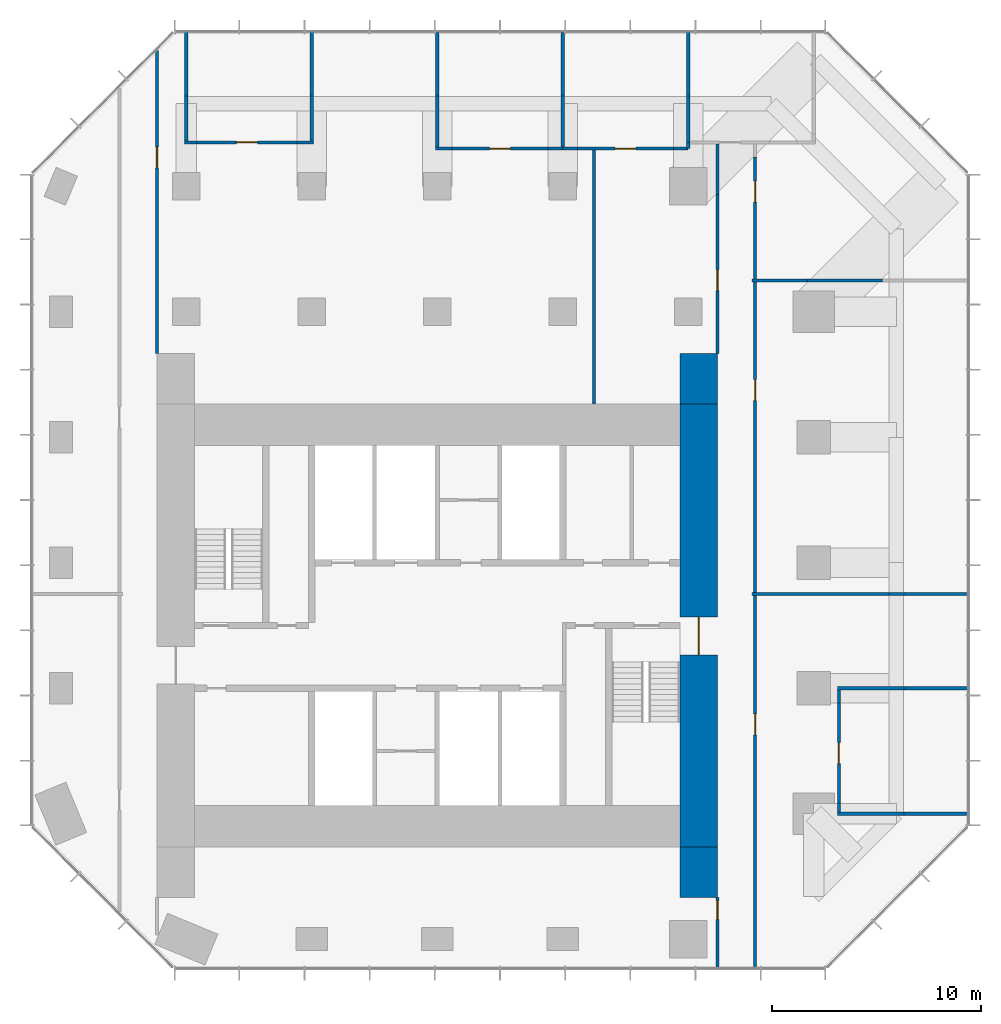
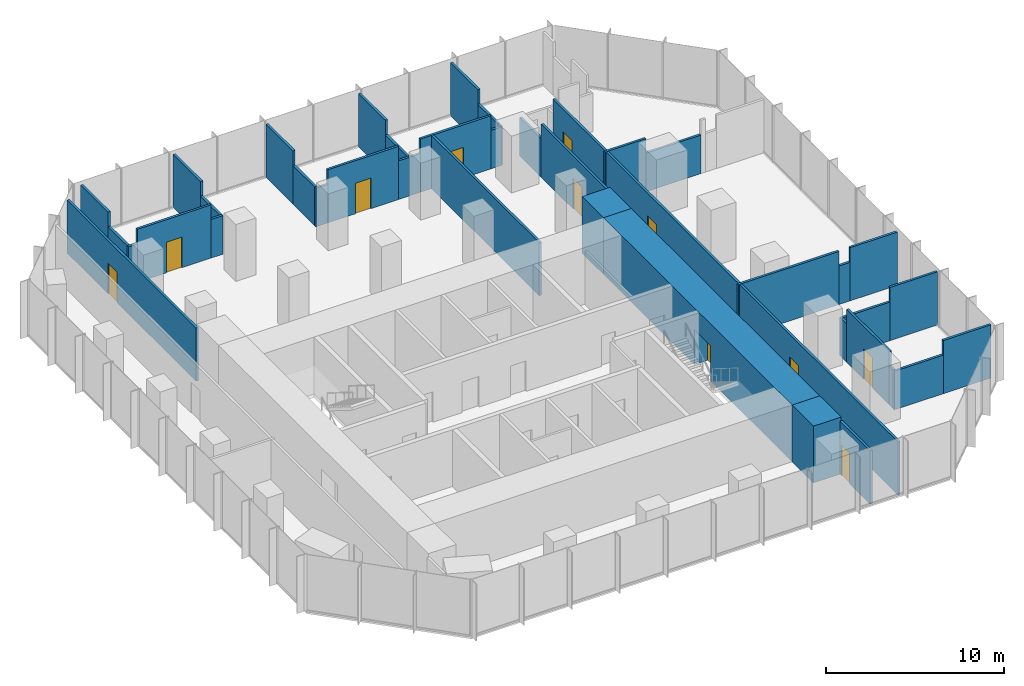
# One storey, part 9 of 11: 43 walls, 11 doors, 11 openings.
"""IFC4 building model written with IfcOpenShell, lengths in metres."""

from ifc_helpers import new_model, si_unit, direction, frame, frame_2d, origin, place, context, subcontext, project, spatial, rectangle, extrude, material, layer, layer_set, type_object, element, fill, save


model = new_model("IFC4")

# Units and contexts
model_context = context("Model", 3, precision=1e-05, world=origin(), true_north=direction((0.0, 1.0)))
body_context = subcontext(model_context, "Body", "Model", "MODEL_VIEW")
ifc_project = project(units=[si_unit("LENGTHUNIT", "METRE"), si_unit("AREAUNIT", "SQUARE_METRE"), si_unit("VOLUMEUNIT", "CUBIC_METRE"), si_unit("PLANEANGLEUNIT", "RADIAN"), si_unit("MASSUNIT", "GRAM", prefix="KILO")], contexts=[model_context])

# Site, building, storey
site_placement = place(None, origin())
site = spatial("IfcSite", under=ifc_project, at=site_placement, CompositionType="ELEMENT")
building_placement = place(site_placement, origin())
building = spatial("IfcBuilding", under=site, at=building_placement, Name="Highveld Stack Headquarters", CompositionType="ELEMENT")
storey_placement = place(building_placement, frame((0.0, 0.0, 177.199951171875)))
storey = spatial("IfcBuildingStorey", under=building, at=storey_placement, Name="L43", CompositionType="ELEMENT", Elevation=177.199951171875)

# Wall, opening, door
ifc_material_1 = material(Name="Concrete C60/75", Category="concrete")
ifc_layer_1 = layer(ifc_material_1, 1.800048828125)
ifc_layer_set_1 = layer_set([ifc_layer_1], Name="Concrete C60/75")
wall_type_1 = type_object("IfcWallType", Name="CORE WALL 1800 C60/75", PredefinedType="SHEAR", material=ifc_layer_set_1)
wall_1_placement = place(storey_placement, frame((18.5, -7.60009765625, 0.0), z_axis=(0.0, 0.0, 1.0), x_axis=(0.0, 1.0, 0.0)))
wall_1 = element("IfcWall", 1, at=wall_1_placement, inside=storey, type_object=wall_type_1, Name="Core wall E L43", PredefinedType="SHEAR", context=body_context, shape_type="SweptSolid", body=[
    extrude(rectangle(XDim=21.2001953125, YDim=1.800048828125, at=frame_2d((10.60009765625, 0.0))), origin(), (0.0, 0.0, 1.0), 3.900146484375),
])
opening_1_placement = place(wall_1_placement, frame((9.199951171875, 0.0, 0.0)))
opening_1 = element("IfcOpeningElement", 2, at=opening_1_placement, cuts=wall_1, Name="Opening L43-02", PredefinedType="OPENING", context=body_context, shape_type="SweptSolid", body=[
    extrude(rectangle(XDim=1.800048828125, YDim=2.39990234375, at=frame_2d((0.89990234375, 1.199951171875))), frame((0.0, 0.909912109375, 0.0), z_axis=(0.0, -1.0, 0.0), x_axis=(1.0, 0.0, 0.0)), (0.0, 0.0, 1.0), 1.820068359375),
])
ifc_material_2 = material(Name="Steel fire door", Category="steel")
door_type_1 = type_object("IfcDoorType", Name="LOBBY FIRE DOOR D4 1800x2400", OperationType="DOUBLE_DOOR_SINGLE_SWING", PredefinedType="DOOR", material=ifc_material_2)
door_1_placement = place(opening_1_placement, origin())
door_1 = element("IfcDoor", 3, at=door_1_placement, inside=storey, type_object=door_type_1, Name="Core east door L43", OperationType="DOUBLE_DOOR_SINGLE_SWING", OverallHeight=2.39990234375, OverallWidth=1.800048828125, PredefinedType="DOOR", context=body_context, shape_type="SweptSolid", body=[
    extrude(rectangle(XDim=1.800048828125, YDim=2.39990234375, at=frame_2d((0.89990234375, 1.199951171875))), frame((0.0, 0.02490234375, 0.0), z_axis=(0.0, -1.0, 0.0), x_axis=(1.0, 0.0, 0.0)), (0.0, 0.0, 1.0), 0.050048828125),
])
fill(opening_1, door_1)

# Walls
ifc_material_3 = material(Name="Concrete C60/75", Category="concrete")
ifc_layer_2 = layer(ifc_material_3, 1.800048828125)
ifc_layer_set_2 = layer_set([ifc_layer_2], Name="Concrete C60/75")
wall_type_2 = type_object("IfcWallType", Name="CORE WING WALL 1800 C60/75", PredefinedType="SHEAR", material=ifc_layer_set_2)
for number, where, z_axis, x_axis, name in (
    (4, (18.5, -10.0, 0.0), (0.0, 0.0, 1.0), (0.0, 1.0, 0.0), "Core wing wall ES L43"),
    (5, (18.5, 13.60009765625, 0.0), (0.0, 0.0, 1.0), (0.0, 1.0, 0.0), "Core wing wall EN L43"),
):
    element("IfcWall", number, at=place(storey_placement, frame(where, z_axis=z_axis, x_axis=x_axis)), inside=storey, type_object=wall_type_2, Name=name, PredefinedType="SHEAR", context=body_context, shape_type="SweptSolid", body=[
        extrude(rectangle(XDim=2.39990234375, YDim=1.800048828125, at=frame_2d((1.199951171875, 0.0))), origin(), (0.0, 0.0, 1.0), 3.900146484375),
    ])
ifc_material_4 = material(Name="Gypsum plasterboard on steel studs", Category="steel")
ifc_layer_3 = layer(ifc_material_4, 0.14990234375)
ifc_layer_set_3 = layer_set([ifc_layer_3], Name="Gypsum plasterboard on steel studs")
wall_type_3 = type_object("IfcWallType", Name="PARTITION 150 PLASTERBOARD", PredefinedType="PARTITIONING", material=ifc_layer_set_3)
wall_2_placement = place(storey_placement, frame((25.125, -6.0, 0.0), z_axis=(0.0, 0.0, 1.0), x_axis=(1.0, 0.0, 0.0)))
element("IfcWall", 6, at=wall_2_placement, inside=storey, type_object=wall_type_3, Name="Partition Tea kitchen L43", PredefinedType="PARTITIONING", context=body_context, shape_type="SweptSolid", body=[
    extrude(rectangle(XDim=3.18505859375, YDim=0.14990234375, at=frame_2d((1.592529296875, 0.0))), origin(), (0.0, 0.0, 1.0), 2.650146484375),
])
wall_3_placement = place(storey_placement, frame((28.31005859375, -6.0, 0.0), z_axis=(0.0, 0.0, 1.0), x_axis=(1.0, 0.0, 0.0)))
element("IfcWall", 7, at=wall_3_placement, inside=storey, type_object=wall_type_3, Name="Partition Tea kitchen L43", PredefinedType="PARTITIONING", context=body_context, shape_type="SweptSolid", body=[
    extrude(rectangle(XDim=3.08984375, YDim=0.14990234375, at=frame_2d((1.544921875, 0.0))), origin(), (0.0, 0.0, 1.0), 3.650146484375),
])
wall_4_placement = place(storey_placement, frame((25.125, 0.0, 0.0), z_axis=(0.0, 0.0, 1.0), x_axis=(1.0, 0.0, 0.0)))
element("IfcWall", 8, at=wall_4_placement, inside=storey, type_object=wall_type_3, Name="Partition Tea kitchen L43", PredefinedType="PARTITIONING", context=body_context, shape_type="SweptSolid", body=[
    extrude(rectangle(XDim=3.18505859375, YDim=0.14990234375, at=frame_2d((1.592529296875, 0.0))), origin(), (0.0, 0.0, 1.0), 2.650146484375),
])
wall_5_placement = place(storey_placement, frame((28.31005859375, 0.0, 0.0), z_axis=(0.0, 0.0, 1.0), x_axis=(1.0, 0.0, 0.0)))
element("IfcWall", 9, at=wall_5_placement, inside=storey, type_object=wall_type_3, Name="Partition Tea kitchen L43", PredefinedType="PARTITIONING", context=body_context, shape_type="SweptSolid", body=[
    extrude(rectangle(XDim=3.08984375, YDim=0.14990234375, at=frame_2d((1.544921875, 0.0))), origin(), (0.0, 0.0, 1.0), 3.650146484375),
])
wall_6_placement = place(storey_placement, frame((5.925048828125, 25.800048828125, 0.0), z_axis=(0.0, 0.0, 1.0), x_axis=(1.0, 0.0, 0.0)))
element("IfcWall", 10, at=wall_6_placement, inside=storey, type_object=wall_type_3, Name="Partition Print room L43", PredefinedType="PARTITIONING", context=body_context, shape_type="SweptSolid", body=[
    extrude(rectangle(XDim=0.784912109375, YDim=0.14990234375, at=frame_2d((0.392578125, 0.0))), origin(), (0.0, 0.0, 1.0), 2.650146484375),
])

# Wall, opening, door
wall_7_placement = place(storey_placement, frame((6.7099609375, 25.800048828125, 0.0), z_axis=(0.0, 0.0, 1.0), x_axis=(1.0, 0.0, 0.0)))
wall_7 = element("IfcWall", 11, at=wall_7_placement, inside=storey, type_object=wall_type_3, Name="Partition Print room L43", PredefinedType="PARTITIONING", context=body_context, shape_type="SweptSolid", body=[
    extrude(rectangle(XDim=4.580078125, YDim=0.14990234375, at=frame_2d((2.2900390625, 0.0))), origin(), (0.0, 0.0, 1.0), 3.650146484375),
])
opening_2_placement = place(wall_7_placement, frame((1.7900390625, 0.0, 0.0)))
opening_2 = element("IfcOpeningElement", 12, at=opening_2_placement, cuts=wall_7, Name="Opening L43-16", PredefinedType="OPENING", context=body_context, shape_type="SweptSolid", body=[
    extrude(rectangle(XDim=1.0, YDim=2.10009765625, at=frame_2d((0.5, 1.050048828125))), frame((0.0, 0.0849609375, 0.0), z_axis=(0.0, -1.0, 0.0), x_axis=(1.0, 0.0, 0.0)), (0.0, 0.0, 1.0), 0.169921875),
])
ifc_material_5 = material(Name="Timber door, oiled ash", Category="wood")
door_type_2 = type_object("IfcDoorType", Name="ROOM DOOR D6 1000x2100", OperationType="SINGLE_SWING_LEFT", PredefinedType="DOOR", material=ifc_material_5)
door_2_placement = place(opening_2_placement, origin())
door_2 = element("IfcDoor", 13, at=door_2_placement, inside=storey, type_object=door_type_2, Name="Print room door 1 L43", OperationType="SINGLE_SWING_RIGHT", OverallHeight=2.10009765625, OverallWidth=1.0, PredefinedType="DOOR", context=body_context, shape_type="SweptSolid", body=[
    extrude(rectangle(XDim=1.0, YDim=2.10009765625, at=frame_2d((0.5, 1.050048828125))), frame((0.0, 0.02490234375, 0.0), z_axis=(0.0, -1.0, 0.0), x_axis=(1.0, 0.0, 0.0)), (0.0, 0.0, 1.0), 0.050048828125),
])
fill(opening_2, door_2)

# Walls
wall_8_placement = place(storey_placement, frame((11.2900390625, 25.800048828125, 0.0), z_axis=(0.0, 0.0, 1.0), x_axis=(1.0, 0.0, 0.0)))
element("IfcWall", 14, at=wall_8_placement, inside=storey, type_object=wall_type_3, Name="Partition Print room L43", PredefinedType="PARTITIONING", context=body_context, shape_type="SweptSolid", body=[
    extrude(rectangle(XDim=0.784912109375, YDim=0.14990234375, at=frame_2d((0.392578125, 0.0))), origin(), (0.0, 0.0, 1.0), 2.650146484375),
])
wall_9_placement = place(storey_placement, frame((12.0, 25.800048828125, 0.0), z_axis=(0.0, 0.0, 1.0), x_axis=(1.0, 0.0, 0.0)))
element("IfcWall", 15, at=wall_9_placement, inside=storey, type_object=wall_type_3, Name="Partition Print room L43", PredefinedType="PARTITIONING", context=body_context, shape_type="SweptSolid", body=[
    extrude(rectangle(XDim=0.7099609375, YDim=0.14990234375, at=frame_2d((0.35498046875, 0.0))), origin(), (0.0, 0.0, 1.0), 2.650146484375),
])

# Wall, opening, door
wall_10_placement = place(storey_placement, frame((12.7099609375, 25.800048828125, 0.0), z_axis=(0.0, 0.0, 1.0), x_axis=(1.0, 0.0, 0.0)))
wall_10 = element("IfcWall", 16, at=wall_10_placement, inside=storey, type_object=wall_type_3, Name="Partition Print room L43", PredefinedType="PARTITIONING", context=body_context, shape_type="SweptSolid", body=[
    extrude(rectangle(XDim=4.580078125, YDim=0.14990234375, at=frame_2d((2.2900390625, 0.0))), origin(), (0.0, 0.0, 1.0), 3.650146484375),
])
opening_3_placement = place(wall_10_placement, frame((1.7900390625, 0.0, 0.0)))
opening_3 = element("IfcOpeningElement", 17, at=opening_3_placement, cuts=wall_10, Name="Opening L43-17", PredefinedType="OPENING", context=body_context, shape_type="SweptSolid", body=[
    extrude(rectangle(XDim=1.0, YDim=2.10009765625, at=frame_2d((0.5, 1.050048828125))), frame((0.0, 0.0849609375, 0.0), z_axis=(0.0, -1.0, 0.0), x_axis=(1.0, 0.0, 0.0)), (0.0, 0.0, 1.0), 0.169921875),
])
door_3_placement = place(opening_3_placement, origin())
door_3 = element("IfcDoor", 18, at=door_3_placement, inside=storey, type_object=door_type_2, Name="Print room door 1 L43", OperationType="SINGLE_SWING_RIGHT", OverallHeight=2.10009765625, OverallWidth=1.0, PredefinedType="DOOR", context=body_context, shape_type="SweptSolid", body=[
    extrude(rectangle(XDim=1.0, YDim=2.10009765625, at=frame_2d((0.5, 1.050048828125))), frame((0.0, 0.02490234375, 0.0), z_axis=(0.0, -1.0, 0.0), x_axis=(1.0, 0.0, 0.0)), (0.0, 0.0, 1.0), 0.050048828125),
])
fill(opening_3, door_3)

# Walls
wall_11_placement = place(storey_placement, frame((17.2900390625, 25.800048828125, 0.0), z_axis=(0.0, 0.0, 1.0), x_axis=(1.0, 0.0, 0.0)))
element("IfcWall", 19, at=wall_11_placement, inside=storey, type_object=wall_type_3, Name="Partition Print room L43", PredefinedType="PARTITIONING", context=body_context, shape_type="SweptSolid", body=[
    extrude(rectangle(XDim=0.7099609375, YDim=0.14990234375, at=frame_2d((0.35498046875, 0.0))), origin(), (0.0, 0.0, 1.0), 2.650146484375),
])
wall_12_placement = place(storey_placement, frame((-6.074951171875, 26.10009765625, 0.0), z_axis=(0.0, 0.0, 1.0), x_axis=(1.0, 0.0, 0.0)))
element("IfcWall", 20, at=wall_12_placement, inside=storey, type_object=wall_type_3, Name="Partition Focus room L43", PredefinedType="PARTITIONING", context=body_context, shape_type="SweptSolid", body=[
    extrude(rectangle(XDim=0.5849609375, YDim=0.14990234375, at=frame_2d((0.29248046875, 0.0))), origin(), (0.0, 0.0, 1.0), 2.650146484375),
])

# Wall, opening, door
wall_13_placement = place(storey_placement, frame((-5.489990234375, 26.10009765625, 0.0), z_axis=(0.0, 0.0, 1.0), x_axis=(1.0, 0.0, 0.0)))
wall_13 = element("IfcWall", 21, at=wall_13_placement, inside=storey, type_object=wall_type_3, Name="Partition Focus room L43", PredefinedType="PARTITIONING", context=body_context, shape_type="SweptSolid", body=[
    extrude(rectangle(XDim=4.780029296875, YDim=0.14990234375, at=frame_2d((2.39013671875, 0.0))), origin(), (0.0, 0.0, 1.0), 3.650146484375),
])
opening_4_placement = place(wall_13_placement, frame((1.889892578125, 0.0, 0.0)))
opening_4 = element("IfcOpeningElement", 22, at=opening_4_placement, cuts=wall_13, Name="Opening L43-15", PredefinedType="OPENING", context=body_context, shape_type="SweptSolid", body=[
    extrude(rectangle(XDim=1.0, YDim=2.10009765625, at=frame_2d((0.5, 1.050048828125))), frame((0.0, 0.0849609375, 0.0), z_axis=(0.0, -1.0, 0.0), x_axis=(1.0, 0.0, 0.0)), (0.0, 0.0, 1.0), 0.169921875),
])
door_4_placement = place(opening_4_placement, origin())
door_4 = element("IfcDoor", 23, at=door_4_placement, inside=storey, type_object=door_type_2, Name="Focus room door 1 L43", OperationType="SINGLE_SWING_LEFT", OverallHeight=2.10009765625, OverallWidth=1.0, PredefinedType="DOOR", context=body_context, shape_type="SweptSolid", body=[
    extrude(rectangle(XDim=1.0, YDim=2.10009765625, at=frame_2d((0.5, 1.050048828125))), frame((0.0, 0.02490234375, 0.0), z_axis=(0.0, -1.0, 0.0), x_axis=(1.0, 0.0, 0.0)), (0.0, 0.0, 1.0), 0.050048828125),
])
fill(opening_4, door_4)

# Walls
wall_14_placement = place(storey_placement, frame((-0.7099609375, 26.10009765625, 0.0), z_axis=(0.0, 0.0, 1.0), x_axis=(1.0, 0.0, 0.0)))
element("IfcWall", 24, at=wall_14_placement, inside=storey, type_object=wall_type_3, Name="Partition Focus room L43", PredefinedType="PARTITIONING", context=body_context, shape_type="SweptSolid", body=[
    extrude(rectangle(XDim=0.784912109375, YDim=0.14990234375, at=frame_2d((0.392578125, 0.0))), origin(), (0.0, 0.0, 1.0), 2.650146484375),
])
wall_15_placement = place(storey_placement, frame((-6.0, 26.175048828125, 0.0), z_axis=(0.0, 0.0, 1.0), x_axis=(0.0, 1.0, 0.0)))
element("IfcWall", 25, at=wall_15_placement, inside=storey, type_object=wall_type_3, Name="Partition Focus room L43", PredefinedType="PARTITIONING", context=body_context, shape_type="SweptSolid", body=[
    extrude(rectangle(XDim=2.135009765625, YDim=0.14990234375, at=frame_2d((1.0673828125, 0.0))), origin(), (0.0, 0.0, 1.0), 2.650146484375),
])
wall_16_placement = place(storey_placement, frame((-6.0, 28.31005859375, 0.0), z_axis=(0.0, 0.0, 1.0), x_axis=(0.0, 1.0, 0.0)))
element("IfcWall", 26, at=wall_16_placement, inside=storey, type_object=wall_type_3, Name="Partition Focus room L43", PredefinedType="PARTITIONING", context=body_context, shape_type="SweptSolid", body=[
    extrude(rectangle(XDim=3.08984375, YDim=0.14990234375, at=frame_2d((1.544921875, 0.0))), origin(), (0.0, 0.0, 1.0), 3.650146484375),
])
wall_17_placement = place(storey_placement, frame((0.0, 26.175048828125, 0.0), z_axis=(0.0, 0.0, 1.0), x_axis=(0.0, 1.0, 0.0)))
element("IfcWall", 27, at=wall_17_placement, inside=storey, type_object=wall_type_3, Name="Partition Focus room L43", PredefinedType="PARTITIONING", context=body_context, shape_type="SweptSolid", body=[
    extrude(rectangle(XDim=2.135009765625, YDim=0.14990234375, at=frame_2d((1.0673828125, 0.0))), origin(), (0.0, 0.0, 1.0), 2.650146484375),
])
wall_18_placement = place(storey_placement, frame((0.0, 28.31005859375, 0.0), z_axis=(0.0, 0.0, 1.0), x_axis=(0.0, 1.0, 0.0)))
element("IfcWall", 28, at=wall_18_placement, inside=storey, type_object=wall_type_3, Name="Partition Focus room L43", PredefinedType="PARTITIONING", context=body_context, shape_type="SweptSolid", body=[
    extrude(rectangle(XDim=3.08984375, YDim=0.14990234375, at=frame_2d((1.544921875, 0.0))), origin(), (0.0, 0.0, 1.0), 3.650146484375),
])
wall_19_placement = place(storey_placement, frame((6.0, 25.875, 0.0), z_axis=(0.0, 0.0, 1.0), x_axis=(0.0, 1.0, 0.0)))
element("IfcWall", 29, at=wall_19_placement, inside=storey, type_object=wall_type_3, Name="Partition Print room L43", PredefinedType="PARTITIONING", context=body_context, shape_type="SweptSolid", body=[
    extrude(rectangle(XDim=2.43505859375, YDim=0.14990234375, at=frame_2d((1.217529296875, 0.0))), origin(), (0.0, 0.0, 1.0), 2.650146484375),
])
wall_20_placement = place(storey_placement, frame((6.0, 28.31005859375, 0.0), z_axis=(0.0, 0.0, 1.0), x_axis=(0.0, 1.0, 0.0)))
element("IfcWall", 30, at=wall_20_placement, inside=storey, type_object=wall_type_3, Name="Partition Print room L43", PredefinedType="PARTITIONING", context=body_context, shape_type="SweptSolid", body=[
    extrude(rectangle(XDim=3.0400390625, YDim=0.14990234375, at=frame_2d((1.52001953125, 0.0))), origin(), (0.0, 0.0, 1.0), 3.650146484375),
])
wall_21_placement = place(storey_placement, frame((12.0, 25.875, 0.0), z_axis=(0.0, 0.0, 1.0), x_axis=(0.0, 1.0, 0.0)))
element("IfcWall", 31, at=wall_21_placement, inside=storey, type_object=wall_type_3, Name="Partition Print room L43", PredefinedType="PARTITIONING", context=body_context, shape_type="SweptSolid", body=[
    extrude(rectangle(XDim=2.43505859375, YDim=0.14990234375, at=frame_2d((1.217529296875, 0.0))), origin(), (0.0, 0.0, 1.0), 2.650146484375),
])
wall_22_placement = place(storey_placement, frame((12.0, 28.31005859375, 0.0), z_axis=(0.0, 0.0, 1.0), x_axis=(0.0, 1.0, 0.0)))
element("IfcWall", 32, at=wall_22_placement, inside=storey, type_object=wall_type_3, Name="Partition Print room L43", PredefinedType="PARTITIONING", context=body_context, shape_type="SweptSolid", body=[
    extrude(rectangle(XDim=3.0400390625, YDim=0.14990234375, at=frame_2d((1.52001953125, 0.0))), origin(), (0.0, 0.0, 1.0), 3.650146484375),
])
wall_23_placement = place(storey_placement, frame((18.0, 25.800048828125, 0.0), z_axis=(0.0, 0.0, 1.0), x_axis=(0.0, 1.0, 0.0)))
element("IfcWall", 33, at=wall_23_placement, inside=storey, type_object=wall_type_3, Name="Partition Print room L43", PredefinedType="PARTITIONING", context=body_context, shape_type="SweptSolid", body=[
    extrude(rectangle(XDim=0.300048828125, YDim=0.14990234375, at=frame_2d((0.14990234375, 0.0))), origin(), (0.0, 0.0, 1.0), 2.650146484375),
])
wall_24_placement = place(storey_placement, frame((18.0, 26.10009765625, 0.0), z_axis=(0.0, 0.0, 1.0), x_axis=(0.0, 1.0, 0.0)))
element("IfcWall", 34, at=wall_24_placement, inside=storey, type_object=wall_type_3, Name="Partition Focus room / Print room L43", PredefinedType="PARTITIONING", context=body_context, shape_type="SweptSolid", body=[
    extrude(rectangle(XDim=2.2099609375, YDim=0.14990234375, at=frame_2d((1.10498046875, 0.0))), origin(), (0.0, 0.0, 1.0), 2.650146484375),
])
wall_25_placement = place(storey_placement, frame((18.0, 28.31005859375, 0.0), z_axis=(0.0, 0.0, 1.0), x_axis=(0.0, 1.0, 0.0)))
element("IfcWall", 35, at=wall_25_placement, inside=storey, type_object=wall_type_3, Name="Partition Focus room / Print room L43", PredefinedType="PARTITIONING", context=body_context, shape_type="SweptSolid", body=[
    extrude(rectangle(XDim=3.08984375, YDim=0.14990234375, at=frame_2d((1.544921875, 0.0))), origin(), (0.0, 0.0, 1.0), 3.650146484375),
])
wall_26_placement = place(storey_placement, frame((25.199951171875, -5.925048828125, 0.0), z_axis=(0.0, 0.0, 1.0), x_axis=(0.0, 1.0, 0.0)))
element("IfcWall", 36, at=wall_26_placement, inside=storey, type_object=wall_type_3, Name="Partition Tea kitchen L43", PredefinedType="PARTITIONING", context=body_context, shape_type="SweptSolid", body=[
    extrude(rectangle(XDim=0.43505859375, YDim=0.14990234375, at=frame_2d((0.217529296875, 0.0))), origin(), (0.0, 0.0, 1.0), 2.650146484375),
])

# Wall, opening, door
wall_27_placement = place(storey_placement, frame((25.199951171875, -5.489990234375, 0.0), z_axis=(0.0, 0.0, 1.0), x_axis=(0.0, 1.0, 0.0)))
wall_27 = element("IfcWall", 37, at=wall_27_placement, inside=storey, type_object=wall_type_3, Name="Partition Tea kitchen L43", PredefinedType="PARTITIONING", context=body_context, shape_type="SweptSolid", body=[
    extrude(rectangle(XDim=4.780029296875, YDim=0.14990234375, at=frame_2d((2.39013671875, 0.0))), origin(), (0.0, 0.0, 1.0), 3.650146484375),
])
opening_5_placement = place(wall_27_placement, frame((1.889892578125, 0.0, 0.0)))
opening_5 = element("IfcOpeningElement", 38, at=opening_5_placement, cuts=wall_27, Name="Opening L43-14", PredefinedType="OPENING", context=body_context, shape_type="SweptSolid", body=[
    extrude(rectangle(XDim=1.0, YDim=2.10009765625, at=frame_2d((0.5, 1.050048828125))), frame((0.0, 0.0849609375, 0.0), z_axis=(0.0, -1.0, 0.0), x_axis=(1.0, 0.0, 0.0)), (0.0, 0.0, 1.0), 0.169921875),
])
door_5_placement = place(opening_5_placement, origin())
door_5 = element("IfcDoor", 39, at=door_5_placement, inside=storey, type_object=door_type_2, Name="Tea kitchen door 1 L43", OperationType="SINGLE_SWING_RIGHT", OverallHeight=2.10009765625, OverallWidth=1.0, PredefinedType="DOOR", context=body_context, shape_type="SweptSolid", body=[
    extrude(rectangle(XDim=1.0, YDim=2.10009765625, at=frame_2d((0.5, 1.050048828125))), frame((0.0, 0.02490234375, 0.0), z_axis=(0.0, -1.0, 0.0), x_axis=(1.0, 0.0, 0.0)), (0.0, 0.0, 1.0), 0.050048828125),
])
fill(opening_5, door_5)

# Wall
wall_28_placement = place(storey_placement, frame((25.199951171875, -0.7099609375, 0.0), z_axis=(0.0, 0.0, 1.0), x_axis=(0.0, 1.0, 0.0)))
element("IfcWall", 40, at=wall_28_placement, inside=storey, type_object=wall_type_3, Name="Partition Tea kitchen L43", PredefinedType="PARTITIONING", context=body_context, shape_type="SweptSolid", body=[
    extrude(rectangle(XDim=0.635009765625, YDim=0.14990234375, at=frame_2d((0.3173828125, 0.0))), origin(), (0.0, 0.0, 1.0), 2.650146484375),
])

# Wall, opening, door
wall_29_placement = place(storey_placement, frame((-7.39990234375, 16.0, 0.0), z_axis=(0.0, 0.0, 1.0), x_axis=(0.0, 1.0, 0.0)))
wall_29 = element("IfcWall", 41, at=wall_29_placement, inside=storey, type_object=wall_type_3, Name="Partition office neighbourhood L43", PredefinedType="PARTITIONING", context=body_context, shape_type="SweptSolid", body=[
    extrude(rectangle(XDim=14.489013671875, YDim=0.14990234375, at=frame_2d((7.24462890625, 0.0))), origin(), (0.0, 0.0, 1.0), 3.650146484375),
])
opening_6_placement = place(wall_29_placement, frame((8.885009765625, 0.0, 0.0)))
opening_6 = element("IfcOpeningElement", 42, at=opening_6_placement, cuts=wall_29, Name="Opening L43-24", PredefinedType="OPENING", context=body_context, shape_type="SweptSolid", body=[
    extrude(rectangle(XDim=1.0, YDim=2.10009765625, at=frame_2d((0.5, 1.050048828125))), frame((0.0, 0.0849609375, 0.0), z_axis=(0.0, -1.0, 0.0), x_axis=(1.0, 0.0, 0.0)), (0.0, 0.0, 1.0), 0.169921875),
])
door_6_placement = place(opening_6_placement, origin())
door_6 = element("IfcDoor", 43, at=door_6_placement, inside=storey, type_object=door_type_2, Name="Office neighbourhood door L43", OperationType="SINGLE_SWING_RIGHT", OverallHeight=2.10009765625, OverallWidth=1.0, PredefinedType="DOOR", context=body_context, shape_type="SweptSolid", body=[
    extrude(rectangle(XDim=1.0, YDim=2.10009765625, at=frame_2d((0.5, 1.050048828125))), frame((0.0, 0.02490234375, 0.0), z_axis=(0.0, -1.0, 0.0), x_axis=(1.0, 0.0, 0.0)), (0.0, 0.0, 1.0), 0.050048828125),
])
fill(opening_6, door_6)

# Wall
wall_30_placement = place(storey_placement, frame((13.5, 13.60009765625, 0.0), z_axis=(0.0, 0.0, 1.0), x_axis=(0.0, 1.0, 0.0)))
element("IfcWall", 44, at=wall_30_placement, inside=storey, type_object=wall_type_3, Name="Partition office neighbourhood L43", PredefinedType="PARTITIONING", context=body_context, shape_type="SweptSolid", body=[
    extrude(rectangle(XDim=12.125, YDim=0.14990234375, at=frame_2d((6.0625, 0.0))), origin(), (0.0, 0.0, 1.0), 3.650146484375),
])

# Wall, opening, door
wall_31_placement = place(storey_placement, frame((19.39990234375, -13.39990234375, 0.0), z_axis=(0.0, 0.0, 1.0), x_axis=(0.0, 1.0, 0.0)))
wall_31 = element("IfcWall", 45, at=wall_31_placement, inside=storey, type_object=wall_type_3, Name="Partition office neighbourhood L43", PredefinedType="PARTITIONING", context=body_context, shape_type="SweptSolid", body=[
    extrude(rectangle(XDim=3.39990234375, YDim=0.14990234375, at=frame_2d((1.699951171875, 0.0))), origin(), (0.0, 0.0, 1.0), 3.650146484375),
])
opening_7_placement = place(wall_31_placement, frame((2.35009765625, 0.0, 0.0)))
opening_7 = element("IfcOpeningElement", 46, at=opening_7_placement, cuts=wall_31, Name="Opening L43-26", PredefinedType="OPENING", context=body_context, shape_type="SweptSolid", body=[
    extrude(rectangle(XDim=0.89990234375, YDim=2.10009765625, at=frame_2d((0.449951171875, 1.050048828125))), frame((0.0, 0.0849609375, 0.0), z_axis=(0.0, -1.0, 0.0), x_axis=(1.0, 0.0, 0.0)), (0.0, 0.0, 1.0), 0.169921875),
])
ifc_material_6 = material(Name="Timber door, oiled ash", Category="wood")
door_type_3 = type_object("IfcDoorType", Name="ROOM DOOR D15 900x2100", OperationType="SINGLE_SWING_LEFT", PredefinedType="DOOR", material=ifc_material_6)
door_7_placement = place(opening_7_placement, origin())
door_7 = element("IfcDoor", 47, at=door_7_placement, inside=storey, type_object=door_type_3, Name="Office neighbourhood door L43", OperationType="SINGLE_SWING_RIGHT", OverallHeight=2.10009765625, OverallWidth=0.89990234375, PredefinedType="DOOR", context=body_context, shape_type="SweptSolid", body=[
    extrude(rectangle(XDim=0.89990234375, YDim=2.10009765625, at=frame_2d((0.449951171875, 1.050048828125))), frame((0.0, 0.02490234375, 0.0), z_axis=(0.0, -1.0, 0.0), x_axis=(1.0, 0.0, 0.0)), (0.0, 0.0, 1.0), 0.050048828125),
])
fill(opening_7, door_7)

wall_32_placement = place(storey_placement, frame((19.39990234375, 16.0, 0.0), z_axis=(0.0, 0.0, 1.0), x_axis=(0.0, 1.0, 0.0)))
wall_32 = element("IfcWall", 48, at=wall_32_placement, inside=storey, type_object=wall_type_3, Name="Partition office neighbourhood L43", PredefinedType="PARTITIONING", context=body_context, shape_type="SweptSolid", body=[
    extrude(rectangle(XDim=7.60791015625, YDim=0.14990234375, at=frame_2d((3.803955078125, 0.0))), origin(), (0.0, 0.0, 1.0), 3.650146484375),
])
opening_8_placement = place(wall_32_placement, frame((3.009033203125, 0.0, 0.0)))
opening_8 = element("IfcOpeningElement", 49, at=opening_8_placement, cuts=wall_32, Name="Opening L43-23", PredefinedType="OPENING", context=body_context, shape_type="SweptSolid", body=[
    extrude(rectangle(XDim=1.0, YDim=2.10009765625, at=frame_2d((0.5, 1.050048828125))), frame((0.0, 0.0849609375, 0.0), z_axis=(0.0, -1.0, 0.0), x_axis=(1.0, 0.0, 0.0)), (0.0, 0.0, 1.0), 0.169921875),
])
door_8_placement = place(opening_8_placement, origin())
door_8 = element("IfcDoor", 50, at=door_8_placement, inside=storey, type_object=door_type_2, Name="Office neighbourhood door L43", OperationType="SINGLE_SWING_LEFT", OverallHeight=2.10009765625, OverallWidth=1.0, PredefinedType="DOOR", context=body_context, shape_type="SweptSolid", body=[
    extrude(rectangle(XDim=1.0, YDim=2.10009765625, at=frame_2d((0.5, 1.050048828125))), frame((0.0, 0.02490234375, 0.0), z_axis=(0.0, -1.0, 0.0), x_axis=(1.0, 0.0, 0.0)), (0.0, 0.0, 1.0), 0.050048828125),
])
fill(opening_8, door_8)

# Wall
wall_33_placement = place(storey_placement, frame((19.39990234375, 23.60791015625, 0.0), z_axis=(0.0, 0.0, 1.0), x_axis=(0.0, 1.0, 0.0)))
element("IfcWall", 51, at=wall_33_placement, inside=storey, type_object=wall_type_3, Name="Partition office neighbourhood L43", PredefinedType="PARTITIONING", context=body_context, shape_type="SweptSolid", body=[
    extrude(rectangle(XDim=2.4169921875, YDim=0.14990234375, at=frame_2d((1.20849609375, 0.0))), origin(), (0.0, 0.0, 1.0), 2.650146484375),
])

# Wall, opening, door
wall_34_placement = place(storey_placement, frame((21.199951171875, -13.39990234375, 0.0), z_axis=(0.0, 0.0, 1.0), x_axis=(0.0, 1.0, 0.0)))
wall_34 = element("IfcWall", 52, at=wall_34_placement, inside=storey, type_object=wall_type_3, Name="Partition office neighbourhood L43", PredefinedType="PARTITIONING", context=body_context, shape_type="SweptSolid", body=[
    extrude(rectangle(XDim=17.824951171875, YDim=0.14990234375, at=frame_2d((8.91259765625, 0.0))), origin(), (0.0, 0.0, 1.0), 3.650146484375),
])
opening_9_placement = place(wall_34_placement, frame((11.169921875, 0.0, 0.0)))
opening_9 = element("IfcOpeningElement", 53, at=opening_9_placement, cuts=wall_34, Name="Opening L43-19", PredefinedType="OPENING", context=body_context, shape_type="SweptSolid", body=[
    extrude(rectangle(XDim=1.0, YDim=2.10009765625, at=frame_2d((0.5, 1.050048828125))), frame((0.0, 0.0849609375, 0.0), z_axis=(0.0, -1.0, 0.0), x_axis=(1.0, 0.0, 0.0)), (0.0, 0.0, 1.0), 0.169921875),
])
door_9_placement = place(opening_9_placement, origin())
door_9 = element("IfcDoor", 54, at=door_9_placement, inside=storey, type_object=door_type_2, Name="Office neighbourhood door L43", OperationType="SINGLE_SWING_RIGHT", OverallHeight=2.10009765625, OverallWidth=1.0, PredefinedType="DOOR", context=body_context, shape_type="SweptSolid", body=[
    extrude(rectangle(XDim=1.0, YDim=2.10009765625, at=frame_2d((0.5, 1.050048828125))), frame((0.0, 0.02490234375, 0.0), z_axis=(0.0, -1.0, 0.0), x_axis=(1.0, 0.0, 0.0)), (0.0, 0.0, 1.0), 0.050048828125),
])
fill(opening_9, door_9)

wall_35_placement = place(storey_placement, frame((21.199951171875, 4.574951171875, 0.0), z_axis=(0.0, 0.0, 1.0), x_axis=(0.0, 1.0, 0.0)))
wall_35 = element("IfcWall", 55, at=wall_35_placement, inside=storey, type_object=wall_type_3, Name="Partition office neighbourhood L43", PredefinedType="PARTITIONING", context=body_context, shape_type="SweptSolid", body=[
    extrude(rectangle(XDim=14.85009765625, YDim=0.14990234375, at=frame_2d((7.425048828125, 0.0))), origin(), (0.0, 0.0, 1.0), 3.650146484375),
])
opening_10_placement = place(wall_35_placement, frame((9.175048828125, 0.0, 0.0)))
opening_10 = element("IfcOpeningElement", 56, at=opening_10_placement, cuts=wall_35, Name="Opening L43-21", PredefinedType="OPENING", context=body_context, shape_type="SweptSolid", body=[
    extrude(rectangle(XDim=1.0, YDim=2.10009765625, at=frame_2d((0.5, 1.050048828125))), frame((0.0, 0.0849609375, 0.0), z_axis=(0.0, -1.0, 0.0), x_axis=(1.0, 0.0, 0.0)), (0.0, 0.0, 1.0), 0.169921875),
])
door_10_placement = place(opening_10_placement, origin())
door_10 = element("IfcDoor", 57, at=door_10_placement, inside=storey, type_object=door_type_2, Name="Office neighbourhood door L43", OperationType="SINGLE_SWING_RIGHT", OverallHeight=2.10009765625, OverallWidth=1.0, PredefinedType="DOOR", context=body_context, shape_type="SweptSolid", body=[
    extrude(rectangle(XDim=1.0, YDim=2.10009765625, at=frame_2d((0.5, 1.050048828125))), frame((0.0, 0.02490234375, 0.0), z_axis=(0.0, -1.0, 0.0), x_axis=(1.0, 0.0, 0.0)), (0.0, 0.0, 1.0), 0.050048828125),
])
fill(opening_10, door_10)

# Walls
wall_36_placement = place(storey_placement, frame((21.050048828125, 4.5, 0.0), z_axis=(0.0, 0.0, 1.0), x_axis=(1.0, 0.0, 0.0)))
element("IfcWall", 58, at=wall_36_placement, inside=storey, type_object=wall_type_3, Name="Partition office neighbourhood L43", PredefinedType="PARTITIONING", context=body_context, shape_type="SweptSolid", body=[
    extrude(rectangle(XDim=6.5400390625, YDim=0.14990234375, at=frame_2d((3.27001953125, 0.0))), origin(), (0.0, 0.0, 1.0), 3.650146484375),
])
wall_37_placement = place(storey_placement, frame((27.590087890625, 4.5, 0.0), z_axis=(0.0, 0.0, 1.0), x_axis=(1.0, 0.0, 0.0)))
element("IfcWall", 59, at=wall_37_placement, inside=storey, type_object=wall_type_3, Name="Partition office neighbourhood L43", PredefinedType="PARTITIONING", context=body_context, shape_type="SweptSolid", body=[
    extrude(rectangle(XDim=0.719970703125, YDim=0.14990234375, at=frame_2d((0.35986328125, 0.0))), origin(), (0.0, 0.0, 1.0), 2.650146484375),
])
wall_38_placement = place(storey_placement, frame((28.31005859375, 4.5, 0.0), z_axis=(0.0, 0.0, 1.0), x_axis=(1.0, 0.0, 0.0)))
element("IfcWall", 60, at=wall_38_placement, inside=storey, type_object=wall_type_3, Name="Partition office neighbourhood L43", PredefinedType="PARTITIONING", context=body_context, shape_type="SweptSolid", body=[
    extrude(rectangle(XDim=3.08984375, YDim=0.14990234375, at=frame_2d((1.544921875, 0.0))), origin(), (0.0, 0.0, 1.0), 3.650146484375),
])

# Wall, opening, door
wall_39_placement = place(storey_placement, frame((21.199951171875, 19.574951171875, 0.0), z_axis=(0.0, 0.0, 1.0), x_axis=(0.0, 1.0, 0.0)))
wall_39 = element("IfcWall", 61, at=wall_39_placement, inside=storey, type_object=wall_type_3, Name="Partition office neighbourhood L43", PredefinedType="PARTITIONING", context=body_context, shape_type="SweptSolid", body=[
    extrude(rectangle(XDim=5.8330078125, YDim=0.14990234375, at=frame_2d((2.91650390625, 0.0))), origin(), (0.0, 0.0, 1.0), 3.650146484375),
])
opening_11_placement = place(wall_39_placement, frame((3.666015625, 0.0, 0.0)))
opening_11 = element("IfcOpeningElement", 62, at=opening_11_placement, cuts=wall_39, Name="Opening L43-25", PredefinedType="OPENING", context=body_context, shape_type="SweptSolid", body=[
    extrude(rectangle(XDim=1.0, YDim=2.10009765625, at=frame_2d((0.5, 1.050048828125))), frame((0.0, 0.0849609375, 0.0), z_axis=(0.0, -1.0, 0.0), x_axis=(1.0, 0.0, 0.0)), (0.0, 0.0, 1.0), 0.169921875),
])
door_11_placement = place(opening_11_placement, origin())
door_11 = element("IfcDoor", 63, at=door_11_placement, inside=storey, type_object=door_type_2, Name="Office neighbourhood door L43", OperationType="SINGLE_SWING_RIGHT", OverallHeight=2.10009765625, OverallWidth=1.0, PredefinedType="DOOR", context=body_context, shape_type="SweptSolid", body=[
    extrude(rectangle(XDim=1.0, YDim=2.10009765625, at=frame_2d((0.5, 1.050048828125))), frame((0.0, 0.02490234375, 0.0), z_axis=(0.0, -1.0, 0.0), x_axis=(1.0, 0.0, 0.0)), (0.0, 0.0, 1.0), 0.050048828125),
])
fill(opening_11, door_11)

# Walls
wall_40_placement = place(storey_placement, frame((21.050048828125, 19.5, 0.0), z_axis=(0.0, 0.0, 1.0), x_axis=(1.0, 0.0, 0.0)))
element("IfcWall", 64, at=wall_40_placement, inside=storey, type_object=wall_type_3, Name="Partition office neighbourhood L43", PredefinedType="PARTITIONING", context=body_context, shape_type="SweptSolid", body=[
    extrude(rectangle(XDim=2.657958984375, YDim=0.14990234375, at=frame_2d((1.3291015625, 0.0))), origin(), (0.0, 0.0, 1.0), 3.650146484375),
])
wall_41_placement = place(storey_placement, frame((23.7080078125, 19.5, 0.0), z_axis=(0.0, 0.0, 1.0), x_axis=(1.0, 0.0, 0.0)))
element("IfcWall", 65, at=wall_41_placement, inside=storey, type_object=wall_type_3, Name="Partition office neighbourhood L43", PredefinedType="PARTITIONING", context=body_context, shape_type="SweptSolid", body=[
    extrude(rectangle(XDim=3.583984375, YDim=0.14990234375, at=frame_2d((1.7919921875, 0.0))), origin(), (0.0, 0.0, 1.0), 2.650146484375),
])

save(model, "model.ifc")
